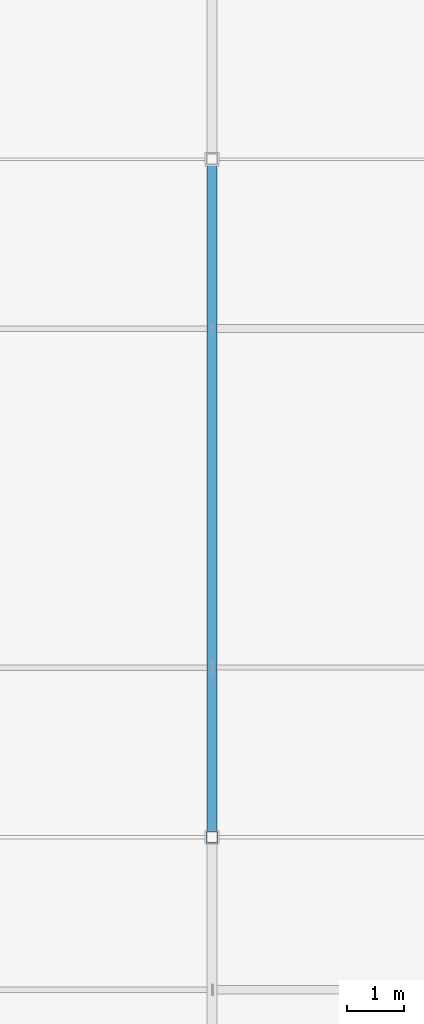
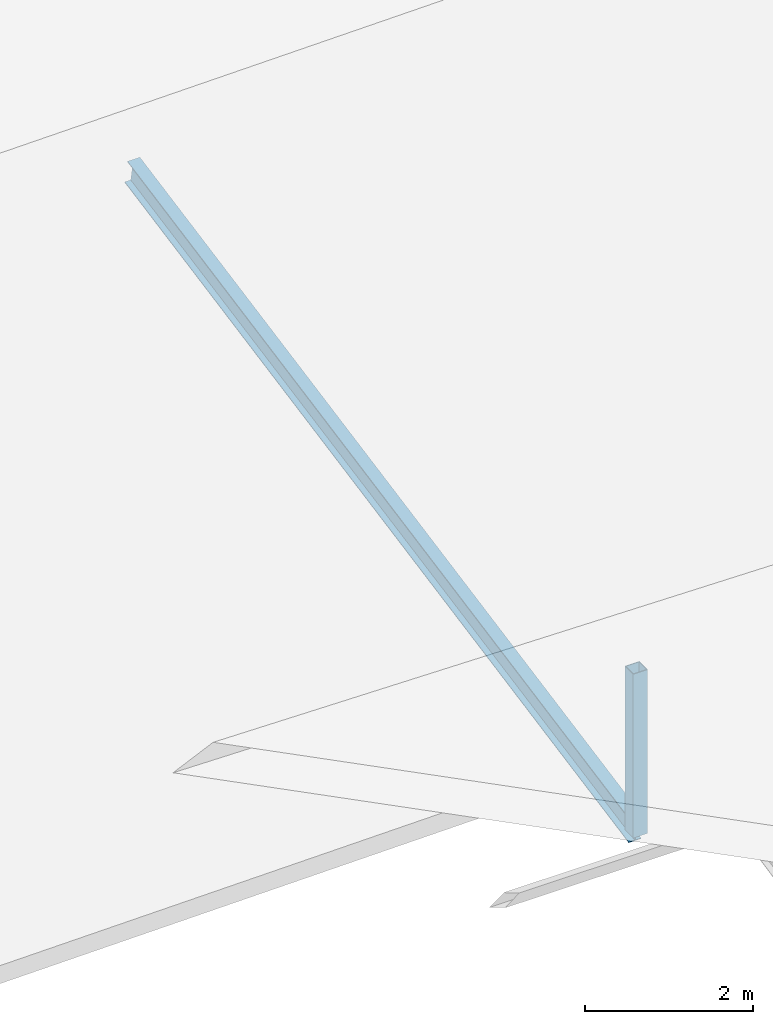
# One storey, part 65 of 226: 2 members.
"""IFC4 building model written with IfcOpenShell, lengths in metres."""

from ifc_helpers import new_model, si_unit, direction, frame, origin, origin_2d, place, context, subcontext, project, spatial, hollow_rectangle, i_section, extrude, material, material_profile, profile_set, type_object, element, save


model = new_model("IFC4")

# Units and contexts
model_context = context("Model", 3, precision=1e-05, world=origin(), true_north=direction((0.0, 1.0)))
body_context = subcontext(model_context, "Body", "Model", "MODEL_VIEW")
ifc_project = project(units=[si_unit("LENGTHUNIT", "METRE"), si_unit("AREAUNIT", "SQUARE_METRE"), si_unit("VOLUMEUNIT", "CUBIC_METRE"), si_unit("PLANEANGLEUNIT", "RADIAN"), si_unit("MASSUNIT", "GRAM", prefix="KILO")], contexts=[model_context])

# Site, building, storey
site_placement = place(None, origin())
site = spatial("IfcSite", under=ifc_project, at=site_placement, CompositionType="ELEMENT")
building_placement = place(site_placement, origin())
building = spatial("IfcBuilding", under=site, at=building_placement, Name="Tarnwether General Hospital", CompositionType="ELEMENT")
storey_placement = place(building_placement, frame((0.0, 0.0, 4.800048828125)))
storey = spatial("IfcBuildingStorey", under=building, at=storey_placement, Name="L01", CompositionType="ELEMENT", Elevation=4.800048828125)

# Members
ifc_material_1 = material(Name="Steel Grade C350L0 (350 MPa)", Category="steel")
ifc_material_profile_1 = material_profile(ifc_material_1, hollow_rectangle(XDim=0.199951171875, YDim=0.199951171875, WallThickness=0.010009765625, at=origin_2d()), Name="SHS200x200x10")
ifc_profile_set_1 = profile_set([ifc_material_profile_1], Name="Steel Grade C350L0 (350 MPa)")
member_type_1 = type_object("IfcMemberType", Name="MB-BR8", PredefinedType="BRACE", material=ifc_profile_set_1)
member_1_placement = place(storey_placement, frame((24.0, 21.60009765625, -0.380126953125), z_axis=(0.0, 0.0, 1.0), x_axis=(1.0, 0.0, 0.0)))
element("IfcMember", 1, at=member_1_placement, inside=storey, type_object=member_type_1, Name="Emergency Sawtooth Web Strut 038", PredefinedType="BRACE", context=body_context, shape_type="SweptSolid", body=[
    extrude(hollow_rectangle(XDim=0.199951171875, YDim=0.199951171875, WallThickness=0.010009765625, at=origin_2d()), origin(), (0.0, 0.0, 1.0), 2.380126953125),
])
ifc_material_2 = material(Name="Steel Grade 350 (350 MPa)", Category="steel")
ifc_material_profile_2 = material_profile(ifc_material_2, i_section(OverallWidth=0.1708984375, OverallDepth=0.35595703125, WebThickness=0.00732421875, FlangeThickness=0.011474609375, at=origin_2d()), Name="360UB50.7")
ifc_profile_set_2 = profile_set([ifc_material_profile_2], Name="Steel Grade 350 (350 MPa)")
member_type_2 = type_object("IfcMemberType", Name="MB-RF4", PredefinedType="RAFTER", material=ifc_profile_set_2)
member_2_placement = place(storey_placement, frame((24.0, 21.60009765625, -0.360107421875), z_axis=(0.0, 0.981818178063, 0.189823774132), x_axis=(-1.0, 0.0, 0.0)))
element("IfcMember", 2, at=member_2_placement, inside=storey, type_object=member_type_2, Name="Emergency Sawtooth Rafter 047", PredefinedType="RAFTER", context=body_context, shape_type="SweptSolid", body=[
    extrude(i_section(OverallWidth=0.1708984375, OverallDepth=0.35595703125, WebThickness=0.00732421875, FlangeThickness=0.011474609375, at=origin_2d()), origin(), (0.0, 0.0, 1.0), 12.22216796875),
])

save(model, "model.ifc")
